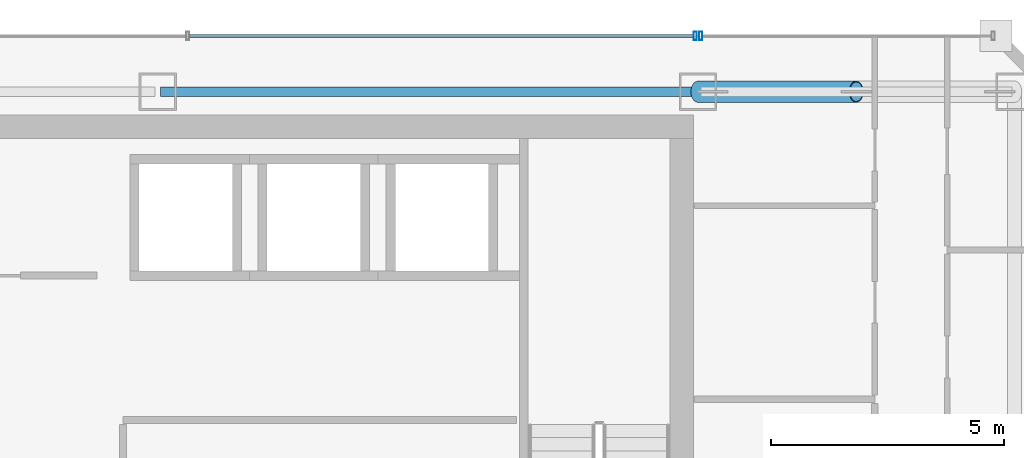
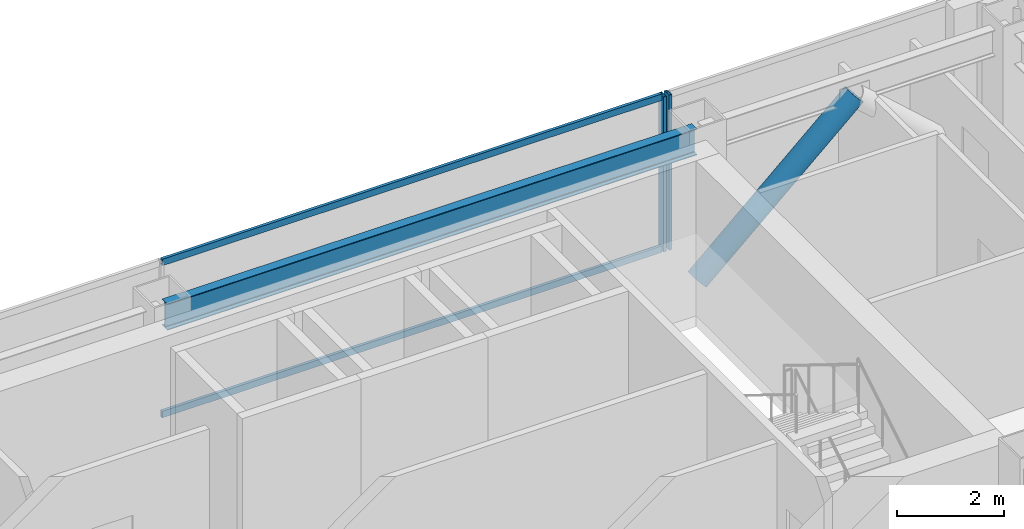
# One storey, part 26 of 36: 5 members, 1 beam, 2 elements without a shape of their own.
"""IFC4 building model written with IfcOpenShell, lengths in metres."""

from ifc_helpers import new_model, si_unit, direction, frame, origin, origin_2d, place, context, subcontext, project, spatial, hollow_rectangle, hollow_circle, i_section, extrude, material, material_profile, profile_set, type_object, element, aggregate, save


model = new_model("IFC4")

# Units and contexts
model_context = context("Model", 3, precision=1e-05, world=origin(), true_north=direction((0.0, 1.0)))
body_context = subcontext(model_context, "Body", "Model", "MODEL_VIEW")
ifc_project = project(units=[si_unit("LENGTHUNIT", "METRE"), si_unit("AREAUNIT", "SQUARE_METRE"), si_unit("VOLUMEUNIT", "CUBIC_METRE"), si_unit("PLANEANGLEUNIT", "RADIAN"), si_unit("MASSUNIT", "GRAM", prefix="KILO")], contexts=[model_context])

# Site, building, storey
site_placement = place(None, origin())
site = spatial("IfcSite", under=ifc_project, at=site_placement, CompositionType="ELEMENT")
building_placement = place(site_placement, origin())
building = spatial("IfcBuilding", under=site, at=building_placement, Name="Saevonmaru Cultural Tower", CompositionType="ELEMENT")
storey_placement = place(building_placement, frame((0.0, 0.0, 182.800048828125)))
storey = spatial("IfcBuildingStorey", under=building, at=storey_placement, Name="L41", CompositionType="ELEMENT", Elevation=182.800048828125)

# Beam
ifc_material_1 = material(Name="Steel SM355", Category="steel")
ifc_material_profile_1 = material_profile(ifc_material_1, i_section(OverallWidth=0.199951171875, OverallDepth=0.60009765625, WebThickness=0.010986328125, FlangeThickness=0.01708984375, FilletRadius=0.02197265625, at=origin_2d()), Name="H-600x200x11x17")
ifc_profile_set_1 = profile_set([ifc_material_profile_1], Name="Steel SM355")
beam_type = type_object("IfcBeamType", Name="BM-SP-H600", PredefinedType="SPANDREL", material=ifc_profile_set_1)
beam_placement = place(storey_placement, frame((34.860107421875, 54.800048828125, 3.25), z_axis=(1.0, 0.0, 0.0), x_axis=(0.0, 1.0, 0.0)))
element("IfcBeam", 1, at=beam_placement, inside=storey, type_object=beam_type, Name="L41 North Spine Girder 4", PredefinedType="SPANDREL", context=body_context, shape_type="SweptSolid", body=[
    extrude(i_section(OverallWidth=0.199951171875, OverallDepth=0.60009765625, WebThickness=0.010986328125, FlangeThickness=0.01708984375, FilletRadius=0.02197265625, at=origin_2d()), origin(), (0.0, 0.0, 1.0), 11.47998046875),
])

# Member
ifc_material_2 = material(Name="Steel SM420", Category="steel")
ifc_material_profile_2 = material_profile(ifc_material_2, hollow_circle(Radius=0.228515625, WallThickness=0.02001953125, at=origin_2d()), Name="CHS-457.2x20")
ifc_profile_set_2 = profile_set([ifc_material_profile_2], Name="Steel SM420")
member_type_1 = type_object("IfcMemberType", Name="MB-PBR-CHS457", PredefinedType="BRACE", material=ifc_profile_set_2)
member_1_placement = place(storey_placement, frame((46.39990234375, 54.800048828125, 0.02001953125), z_axis=(0.744390779303, 0.0, 0.66774423823), x_axis=(0.0, 1.0, 0.0)))
element("IfcMember", 2, at=member_1_placement, inside=storey, type_object=member_type_1, Name="L41 Perimeter Braced-Tube Diagonal EN1", PredefinedType="BRACE", context=body_context, shape_type="SweptSolid", body=[
    extrude(hollow_circle(Radius=0.228515625, WallThickness=0.02001953125, at=origin_2d()), origin(), (0.0, 0.0, 1.0), 4.567626953125),
])

# Curtain wall, member
ifc_material_3 = material(Name="Satin Bronze Anodised Aluminium", Category="aluminium")
curtain_wall_type = type_object("IfcCurtainWallType", Name="CW-TYP-B", PredefinedType="NOTDEFINED", material=ifc_material_3)
curtain_wall_1_placement = place(storey_placement, origin())
curtain_wall_1 = element("IfcCurtainWall", 3, at=curtain_wall_1_placement, inside=storey, type_object=curtain_wall_type, Name="L41 East Braced Bay Spandrel Curtain Wall E10A", PredefinedType="NOTDEFINED")
ifc_material_profile_3 = material_profile(ifc_material_3, hollow_rectangle(XDim=0.06494140625, YDim=0.179931640625, WallThickness=0.00390625, at=origin_2d()), Name="ALU-MULL-180x65x4")
ifc_profile_set_3 = profile_set([ifc_material_profile_3], Name="Satin Bronze Anodised Aluminium")
member_type_2 = type_object("IfcMemberType", Name="ML-CW-180x65", PredefinedType="MULLION", material=ifc_profile_set_3)
member_2_placement = place(storey_placement, frame((46.4599609375, 56.0, 0.0), z_axis=(0.0, 0.0, 1.0), x_axis=(-1.0, 0.0, 0.0)))
member_2 = element("IfcMember", 4, at=member_2_placement, type_object=member_type_2, Name="CW-TW-L41-E10A mullion 2", PredefinedType="MULLION", context=body_context, shape_type="SweptSolid", body=[
    extrude(hollow_rectangle(XDim=0.06494140625, YDim=0.179931640625, WallThickness=0.00390625, at=origin_2d()), origin(), (0.0, 0.0, 1.0), 3.550048828125),
])
aggregate(curtain_wall_1, [member_2])

# Curtain wall, members
curtain_wall_2_placement = place(storey_placement, origin())
curtain_wall_2 = element("IfcCurtainWall", 5, at=curtain_wall_2_placement, inside=storey, type_object=curtain_wall_type, Name="L41 North Spine Unitised Curtain Wall E10B", PredefinedType="NOTDEFINED")
member_3_placement = place(storey_placement, frame((46.340087890625, 56.0, 0.0), z_axis=(0.0, 0.0, 1.0), x_axis=(-1.0, 0.0, 0.0)))
member_3 = element("IfcMember", 6, at=member_3_placement, type_object=member_type_2, Name="CW-TW-L41-E10B mullion 1", PredefinedType="MULLION", context=body_context, shape_type="SweptSolid", body=[
    extrude(hollow_rectangle(XDim=0.06494140625, YDim=0.179931640625, WallThickness=0.00390625, at=origin_2d()), origin(), (0.0, 0.0, 1.0), 3.550048828125),
])
ifc_material_profile_4 = material_profile(ifc_material_3, hollow_rectangle(XDim=0.06494140625, YDim=0.14990234375, WallThickness=0.00390625, at=origin_2d()), Name="ALU-TRAN-150x65x4")
ifc_profile_set_4 = profile_set([ifc_material_profile_4], Name="Satin Bronze Anodised Aluminium")
member_type_3 = type_object("IfcMemberType", Name="TR-CW-150x65", PredefinedType="USERDEFINED", material=ifc_profile_set_4)
member_4_placement = place(storey_placement, frame((46.3076171875, 56.0, 0.032470703125), z_axis=(-1.0, 0.0, 0.0), x_axis=(0.0, -1.0, 0.0)))
member_4 = element("IfcMember", 7, at=member_4_placement, type_object=member_type_3, Name="CW-TW-L41-E10B transom 1.1", ObjectType="TRANSOM", PredefinedType="USERDEFINED", context=body_context, shape_type="SweptSolid", body=[
    extrude(hollow_rectangle(XDim=0.06494140625, YDim=0.14990234375, WallThickness=0.00390625, at=origin_2d()), origin(), (0.0, 0.0, 1.0), 10.828369140625),
])
member_5_placement = place(storey_placement, frame((46.3076171875, 56.0, 3.517333984375), z_axis=(-1.0, 0.0, 0.0), x_axis=(0.0, -1.0, 0.0)))
member_5 = element("IfcMember", 8, at=member_5_placement, type_object=member_type_3, Name="CW-TW-L41-E10B transom 1.2", ObjectType="TRANSOM", PredefinedType="USERDEFINED", context=body_context, shape_type="SweptSolid", body=[
    extrude(hollow_rectangle(XDim=0.06494140625, YDim=0.14990234375, WallThickness=0.00390625, at=origin_2d()), origin(), (0.0, 0.0, 1.0), 10.828369140625),
])
aggregate(curtain_wall_2, [member_3, member_4, member_5])

save(model, "model.ifc")
